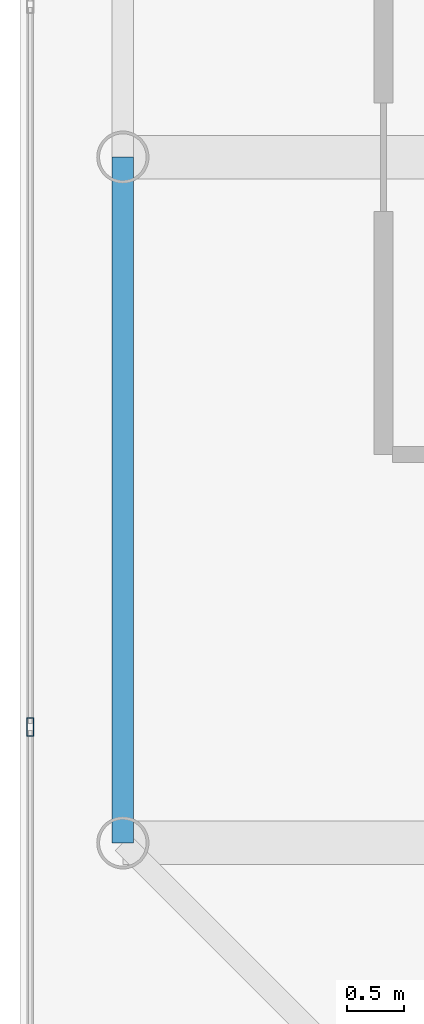
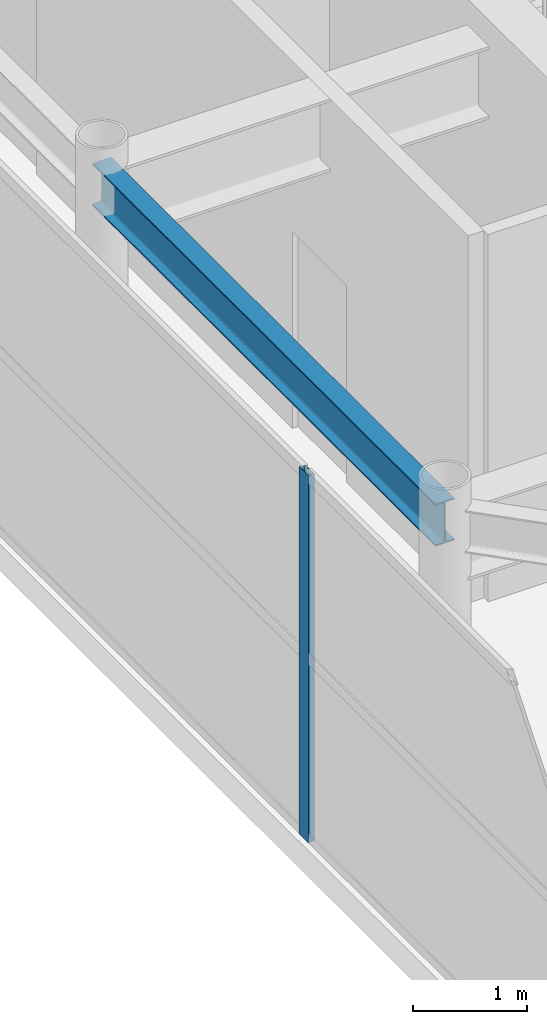
# One storey, part 5 of 32: 1 beam, 1 member, 1 element without a shape of its own.
"""IFC4 building model written with IfcOpenShell, lengths in metres."""

from ifc_helpers import new_model, si_unit, direction, frame, origin, origin_2d, place, context, subcontext, project, spatial, hollow_rectangle, i_section, extrude, source, transform, mapped, material, layer, layer_set, material_profile, profile_set, type_object, element, aggregate, save


model = new_model("IFC4")

# Units and contexts
model_context = context("Model", 3, precision=1e-05, world=origin(), true_north=direction((0.0, 1.0)))
body_context = subcontext(model_context, "Body", "Model", "MODEL_VIEW")
ifc_project = project(units=[si_unit("LENGTHUNIT", "METRE"), si_unit("AREAUNIT", "SQUARE_METRE"), si_unit("VOLUMEUNIT", "CUBIC_METRE"), si_unit("PLANEANGLEUNIT", "RADIAN"), si_unit("MASSUNIT", "GRAM", prefix="KILO")], contexts=[model_context])

# Site, building, storey
site_placement = place(None, origin())
site = spatial("IfcSite", under=ifc_project, at=site_placement, CompositionType="ELEMENT")
building_placement = place(site_placement, origin())
building = spatial("IfcBuilding", under=site, at=building_placement, Name="Khoralis Quay Care Tower", CompositionType="ELEMENT")
storey_placement = place(building_placement, frame((0.0, 0.0, 310.5)))
storey = spatial("IfcBuildingStorey", under=building, at=storey_placement, Name="L81", CompositionType="ELEMENT", Elevation=310.5)

# Beam
ifc_material_1 = material(Name="Steel S355", Category="steel")
ifc_material_profile_1 = material_profile(ifc_material_1, i_section(OverallWidth=0.18994140625, OverallDepth=0.449951171875, WebThickness=0.009521484375, FlangeThickness=0.0146484375, FilletRadius=0.02099609375, at=origin_2d()), Name="Steel S355")
ifc_profile_set_1 = profile_set([ifc_material_profile_1], Name="Steel S355")
beam_type = type_object("IfcBeamType", Name="BM-IPE450", PredefinedType="SPANDREL", material=ifc_profile_set_1)
shared_shape_1 = source(origin(), body_context, "Body", "SweptSolid", [
    extrude(i_section(OverallWidth=0.18994140625, OverallDepth=0.449951171875, WebThickness=0.009521484375, FlangeThickness=0.0146484375, FilletRadius=0.02099609375, at=origin_2d()), origin(), (0.0, 0.0, 1.0), 6.0),
])
beam_placement = place(storey_placement, frame((3.89990234375, 12.0, 3.695068359375), z_axis=(0.0, 1.0, 0.0), x_axis=(-1.0, 0.0, 0.0)))
element("IfcBeam", 1, at=beam_placement, inside=storey, type_object=beam_type, Name="BM-TSP-L81-09", PredefinedType="SPANDREL", context=body_context, shape_type="MappedRepresentation", body=[
    mapped(shared_shape_1, transform((0.0, 0.0, 0.0), scale=1.0)),
])

# Curtain wall, member
ifc_material_2 = material(Name="Pale anodised aluminium", Category="aluminium")
ifc_layer = layer(ifc_material_2, 0.199951171875)
ifc_layer_set = layer_set([ifc_layer], Name="Pale anodised aluminium")
curtain_wall_type = type_object("IfcCurtainWallType", Name="CW-SYS-LANTERN", PredefinedType="NOTDEFINED", material=ifc_layer_set)
curtain_wall_placement = place(storey_placement, origin())
curtain_wall = element("IfcCurtainWall", 2, at=curtain_wall_placement, inside=storey, type_object=curtain_wall_type, Name="L81 Unitised Curtain Wall CW-LN-L81-16", PredefinedType="NOTDEFINED")
ifc_material_profile_2 = material_profile(ifc_material_2, hollow_rectangle(XDim=0.06005859375, YDim=0.159912109375, WallThickness=0.00390625, at=origin_2d()), Name="Pale anodised aluminium")
ifc_profile_set_2 = profile_set([ifc_material_profile_2], Name="Pale anodised aluminium")
member_type = type_object("IfcMemberType", Name="CW-MUL-160", PredefinedType="MULLION", material=ifc_profile_set_2)
shared_shape_2 = source(origin(), body_context, "Body", "SweptSolid", [
    extrude(hollow_rectangle(XDim=0.06005859375, YDim=0.159912109375, WallThickness=0.00390625, at=origin_2d()), origin(), (0.0, 0.0, 1.0), 3.919921875),
])
member_placement = place(storey_placement, frame((3.090087890625, 13.013916015625, 0.0), z_axis=(0.0, 0.0, 1.0), x_axis=(1.0, 0.0, 0.0)))
member = element("IfcMember", 3, at=member_placement, type_object=member_type, Name="CW5 mullion 5", PredefinedType="MULLION", context=body_context, shape_type="MappedRepresentation", body=[
    mapped(shared_shape_2, transform((0.0, 0.0, 0.0), scale=1.0)),
])
aggregate(curtain_wall, [member])

save(model, "model.ifc")
